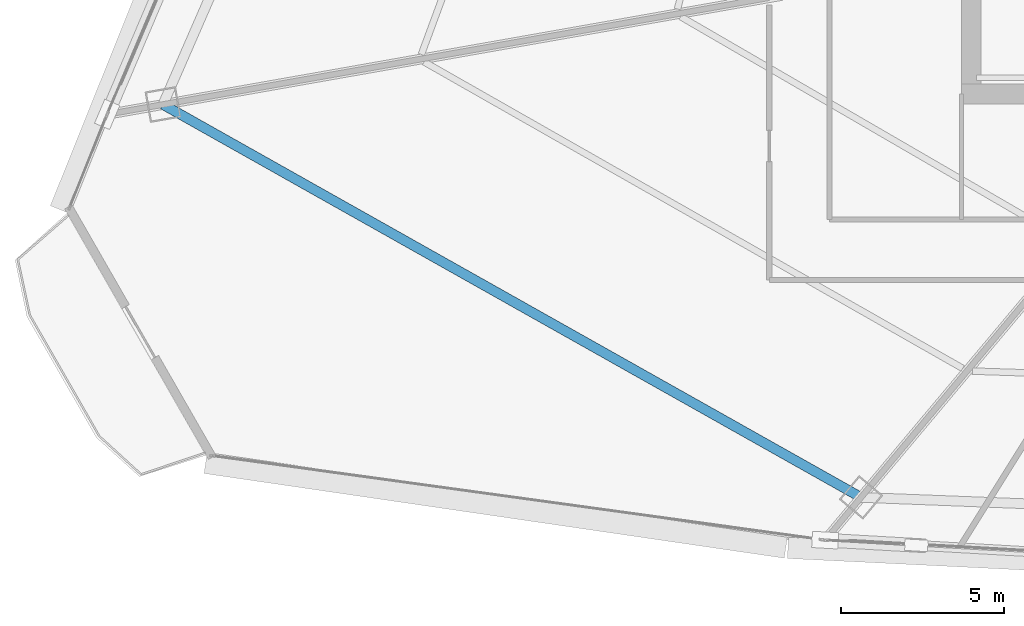
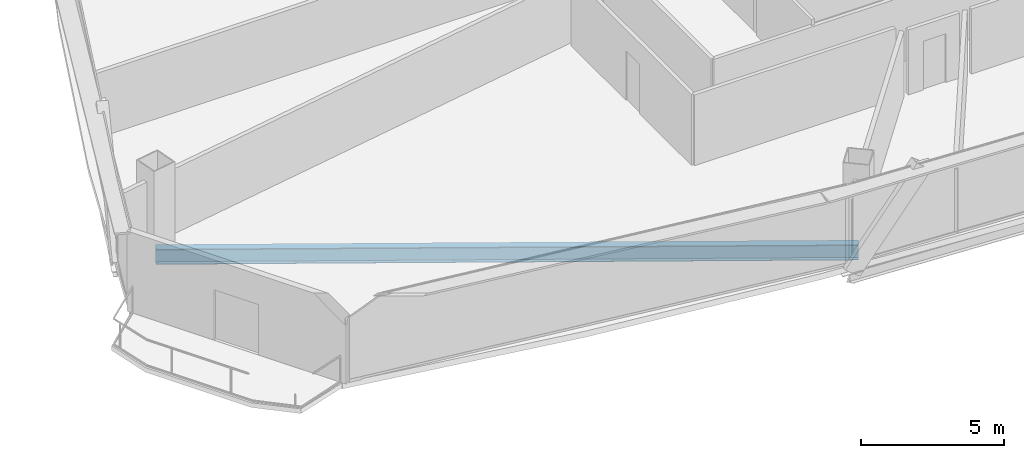
# One storey, part 5 of 39: 1 beam.
"""IFC4 building model written with IfcOpenShell, lengths in metres."""

from ifc_helpers import new_model, si_unit, direction, frame, origin, origin_2d, place, context, subcontext, project, spatial, i_section, extrude, source, transform, mapped, material, material_profile, profile_set, type_object, element, save


model = new_model("IFC4")

# Units and contexts
model_context = context("Model", 3, precision=1e-05, world=origin(), true_north=direction((0.0, 1.0)))
body_context = subcontext(model_context, "Body", "Model", "MODEL_VIEW")
ifc_project = project(units=[si_unit("LENGTHUNIT", "METRE"), si_unit("AREAUNIT", "SQUARE_METRE"), si_unit("VOLUMEUNIT", "CUBIC_METRE"), si_unit("PLANEANGLEUNIT", "RADIAN"), si_unit("MASSUNIT", "GRAM", prefix="KILO"), si_unit("THERMODYNAMICTEMPERATUREUNIT", "KELVIN"), si_unit("POWERUNIT", "WATT")], contexts=[model_context])

# Site, building, storey
site_placement = place(None, origin())
site = spatial("IfcSite", under=ifc_project, at=site_placement, CompositionType="ELEMENT")
building_placement = place(site_placement, origin())
building = spatial("IfcBuilding", under=site, at=building_placement, Name="Yunzhuo Pagoda Commons", CompositionType="ELEMENT")
storey_placement = place(building_placement, frame((0.0, 0.0, 144.550048828125)))
storey = spatial("IfcBuildingStorey", under=building, at=storey_placement, Name="L36", CompositionType="ELEMENT", Elevation=144.550048828125)

# Beam
ifc_material = material(Name="Structural steel Q355B", Category="steel")
ifc_material_profile = material_profile(ifc_material, i_section(OverallWidth=0.300048828125, OverallDepth=0.64990234375, WebThickness=0.012939453125, FlangeThickness=0.02197265625, at=origin_2d()), Name="Structural steel Q355B")
ifc_profile_set = profile_set([ifc_material_profile], Name="Structural steel Q355B")
beam_type = type_object("IfcBeamType", Name="B-RG2 Beam HN 650x300x13x22", PredefinedType="BEAM", material=ifc_profile_set)
shared_shape = source(origin(), body_context, "Body", "SweptSolid", [
    extrude(i_section(OverallWidth=0.300048828125, OverallDepth=0.64990234375, WebThickness=0.012939453125, FlangeThickness=0.02197265625, at=origin_2d()), origin(), (0.0, 0.0, 1.0), 24.56982421875),
])
beam_placement = place(storey_placement, frame((11.0029296875, 27.176513671875, -0.5849609375), z_axis=(0.871469103633, -0.490450406681, 0.0), x_axis=(0.490450406681, 0.871469103633, 0.0)))
element("IfcBeam", 1, at=beam_placement, inside=storey, type_object=beam_type, Name="L36 column-ring beam 12", PredefinedType="BEAM", context=body_context, shape_type="MappedRepresentation", body=[
    mapped(shared_shape, transform((0.0, 0.0, 0.0), scale=1.0)),
])

save(model, "model.ifc")
